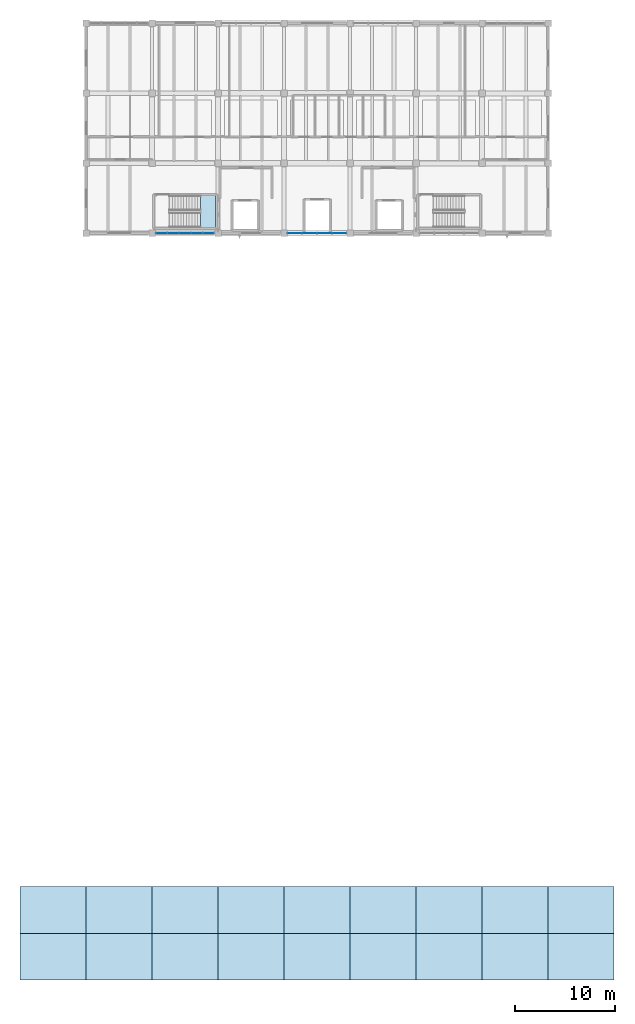
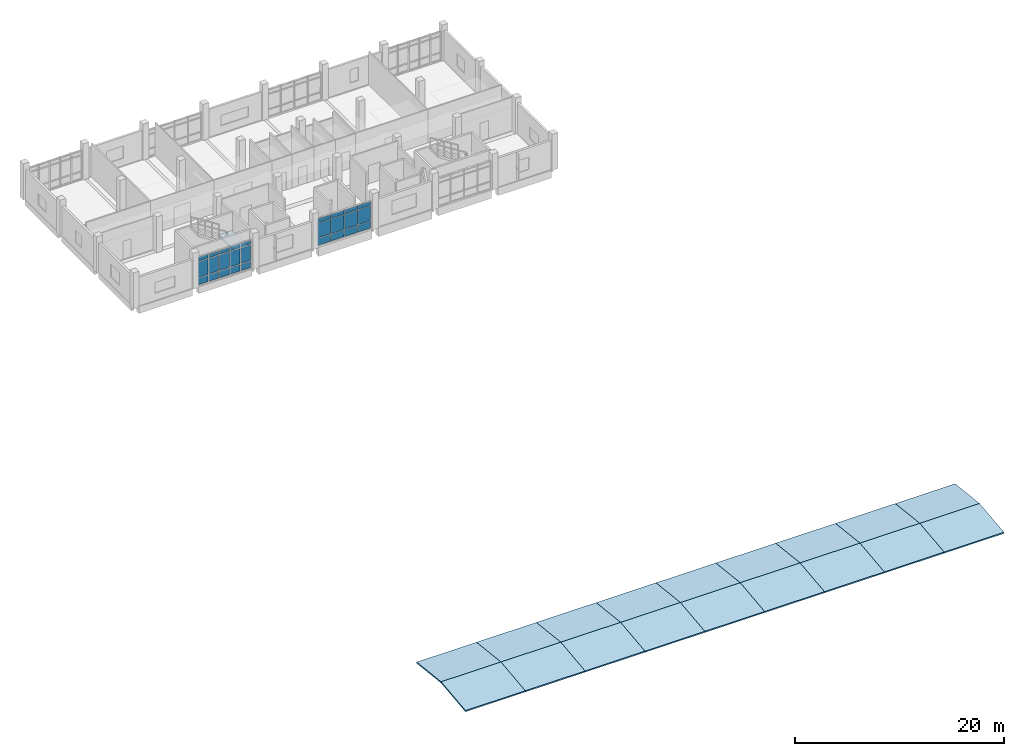
# One storey, part 7 of 16: 27 plates, 19 slabs, 4 elements without a shape of their own.
"""IFC4 building model written with IfcOpenShell, lengths in metres."""

from ifc_helpers import new_model, si_unit, direction, frame, origin, origin_2d, place, context, subcontext, project, spatial, polyline, rectangle, outline, extrude, material, layer, layer_set, type_object, element, aggregate, save


model = new_model("IFC4")

# Units and contexts
model_context = context("Model", 3, precision=1e-05, world=origin(), true_north=direction((0.0, 1.0)))
body_context = subcontext(model_context, "Body", "Model", "MODEL_VIEW")
ifc_project = project(units=[si_unit("LENGTHUNIT", "METRE"), si_unit("AREAUNIT", "SQUARE_METRE"), si_unit("VOLUMEUNIT", "CUBIC_METRE"), si_unit("PLANEANGLEUNIT", "RADIAN"), si_unit("MASSUNIT", "GRAM", prefix="KILO")], contexts=[model_context])

# Site, building, storey
site_placement = place(None, origin())
site = spatial("IfcSite", under=ifc_project, at=site_placement, CompositionType="ELEMENT")
building_placement = place(site_placement, origin())
building = spatial("IfcBuilding", under=site, at=building_placement, Name="Ciguamira Faculty of Natural Sciences", CompositionType="ELEMENT")
storey_placement = place(building_placement, frame((0.0, 0.0, 25.199951171875)))
storey = spatial("IfcBuildingStorey", under=building, at=storey_placement, Name="L06", CompositionType="ELEMENT", Elevation=25.199951171875)

# Curtain wall, plates
ifc_material_1 = material(Name="Anodized aluminium curtain wall", Category="aluminium")
curtain_wall_type_1 = type_object("IfcCurtainWallType", Name="CurtainWall_CW-09", PredefinedType="USERDEFINED", material=ifc_material_1)
curtain_wall_1_placement = place(storey_placement, origin())
curtain_wall_1 = element("IfcCurtainWall", 1, at=curtain_wall_1_placement, inside=storey, type_object=curtain_wall_type_1, Name="L06 unitised curtain wall 0141", ObjectType="UNITISED CURTAIN WALL", PredefinedType="USERDEFINED")
ifc_material_2 = material(Name="Low-E laminated solar glass", Category="glass")
ifc_layer_1 = layer(ifc_material_2, 0.028076171875, Name="Low-E laminated solar glass")
ifc_layer_set_1 = layer_set([ifc_layer_1], Name="Low-E laminated solar glass")
plate_type_1 = type_object("IfcPlateType", Name="CWPanel_CWP-01", PredefinedType="CURTAIN_PANEL", material=ifc_layer_set_1)
plate_1_placement = place(storey_placement, frame((71.43994140625, 94.0, 0.080078125), z_axis=(0.0, 0.0, 1.0), x_axis=(1.0, 0.0, 0.0)))
plate_1 = element("IfcPlate", 2, at=plate_1_placement, type_object=plate_type_1, Name="CW-09 panel 1.1", PredefinedType="CURTAIN_PANEL", context=body_context, shape_type="SweptSolid", body=[
    extrude(rectangle(XDim=1.070068359375, YDim=0.028076171875, at=origin_2d()), origin(), (0.0, 0.0, 1.0), 0.780029296875),
])
plate_2_placement = place(storey_placement, frame((71.43994140625, 94.0, 0.940185546875), z_axis=(0.0, 0.0, 1.0), x_axis=(1.0, 0.0, 0.0)))
plate_2 = element("IfcPlate", 3, at=plate_2_placement, type_object=plate_type_1, Name="CW-09 panel 1.2", PredefinedType="CURTAIN_PANEL", context=body_context, shape_type="SweptSolid", body=[
    extrude(rectangle(XDim=1.070068359375, YDim=0.028076171875, at=origin_2d()), origin(), (0.0, 0.0, 1.0), 1.81494140625),
])
plate_3_placement = place(storey_placement, frame((71.43994140625, 94.0, 2.8349609375), z_axis=(0.0, 0.0, 1.0), x_axis=(1.0, 0.0, 0.0)))
plate_3 = element("IfcPlate", 4, at=plate_3_placement, type_object=plate_type_1, Name="CW-09 panel 1.3", PredefinedType="CURTAIN_PANEL", context=body_context, shape_type="SweptSolid", body=[
    extrude(rectangle(XDim=1.070068359375, YDim=0.028076171875, at=origin_2d()), origin(), (0.0, 0.0, 1.0), 0.429931640625),
])
plate_4_placement = place(storey_placement, frame((72.610107421875, 94.0, 0.080078125), z_axis=(0.0, 0.0, 1.0), x_axis=(1.0, 0.0, 0.0)))
plate_4 = element("IfcPlate", 5, at=plate_4_placement, type_object=plate_type_1, Name="CW-09 panel 2.1", PredefinedType="CURTAIN_PANEL", context=body_context, shape_type="SweptSolid", body=[
    extrude(rectangle(XDim=1.110107421875, YDim=0.028076171875, at=origin_2d()), origin(), (0.0, 0.0, 1.0), 0.780029296875),
])
plate_5_placement = place(storey_placement, frame((72.610107421875, 94.0, 0.940185546875), z_axis=(0.0, 0.0, 1.0), x_axis=(1.0, 0.0, 0.0)))
plate_5 = element("IfcPlate", 6, at=plate_5_placement, type_object=plate_type_1, Name="CW-09 panel 2.2", PredefinedType="CURTAIN_PANEL", context=body_context, shape_type="SweptSolid", body=[
    extrude(rectangle(XDim=1.110107421875, YDim=0.028076171875, at=origin_2d()), origin(), (0.0, 0.0, 1.0), 1.81494140625),
])
plate_6_placement = place(storey_placement, frame((72.610107421875, 94.0, 2.8349609375), z_axis=(0.0, 0.0, 1.0), x_axis=(1.0, 0.0, 0.0)))
plate_6 = element("IfcPlate", 7, at=plate_6_placement, type_object=plate_type_1, Name="CW-09 panel 2.3", PredefinedType="CURTAIN_PANEL", context=body_context, shape_type="SweptSolid", body=[
    extrude(rectangle(XDim=1.110107421875, YDim=0.028076171875, at=origin_2d()), origin(), (0.0, 0.0, 1.0), 0.429931640625),
])
plate_7_placement = place(storey_placement, frame((73.800048828125, 94.0, 0.080078125), z_axis=(0.0, 0.0, 1.0), x_axis=(1.0, 0.0, 0.0)))
plate_7 = element("IfcPlate", 8, at=plate_7_placement, type_object=plate_type_1, Name="CW-09 panel 3.1", PredefinedType="CURTAIN_PANEL", context=body_context, shape_type="SweptSolid", body=[
    extrude(rectangle(XDim=1.110107421875, YDim=0.028076171875, at=origin_2d()), origin(), (0.0, 0.0, 1.0), 0.780029296875),
])
plate_8_placement = place(storey_placement, frame((73.800048828125, 94.0, 0.940185546875), z_axis=(0.0, 0.0, 1.0), x_axis=(1.0, 0.0, 0.0)))
plate_8 = element("IfcPlate", 9, at=plate_8_placement, type_object=plate_type_1, Name="CW-09 panel 3.2", PredefinedType="CURTAIN_PANEL", context=body_context, shape_type="SweptSolid", body=[
    extrude(rectangle(XDim=1.110107421875, YDim=0.028076171875, at=origin_2d()), origin(), (0.0, 0.0, 1.0), 1.81494140625),
])
plate_9_placement = place(storey_placement, frame((73.800048828125, 94.0, 2.8349609375), z_axis=(0.0, 0.0, 1.0), x_axis=(1.0, 0.0, 0.0)))
plate_9 = element("IfcPlate", 10, at=plate_9_placement, type_object=plate_type_1, Name="CW-09 panel 3.3", PredefinedType="CURTAIN_PANEL", context=body_context, shape_type="SweptSolid", body=[
    extrude(rectangle(XDim=1.110107421875, YDim=0.028076171875, at=origin_2d()), origin(), (0.0, 0.0, 1.0), 0.429931640625),
])
plate_10_placement = place(storey_placement, frame((74.989990234375, 94.0, 0.080078125), z_axis=(0.0, 0.0, 1.0), x_axis=(1.0, 0.0, 0.0)))
plate_10 = element("IfcPlate", 11, at=plate_10_placement, type_object=plate_type_1, Name="CW-09 panel 4.1", PredefinedType="CURTAIN_PANEL", context=body_context, shape_type="SweptSolid", body=[
    extrude(rectangle(XDim=1.110107421875, YDim=0.028076171875, at=origin_2d()), origin(), (0.0, 0.0, 1.0), 0.780029296875),
])
plate_11_placement = place(storey_placement, frame((74.989990234375, 94.0, 0.940185546875), z_axis=(0.0, 0.0, 1.0), x_axis=(1.0, 0.0, 0.0)))
plate_11 = element("IfcPlate", 12, at=plate_11_placement, type_object=plate_type_1, Name="CW-09 panel 4.2", PredefinedType="CURTAIN_PANEL", context=body_context, shape_type="SweptSolid", body=[
    extrude(rectangle(XDim=1.110107421875, YDim=0.028076171875, at=origin_2d()), origin(), (0.0, 0.0, 1.0), 1.81494140625),
])
plate_12_placement = place(storey_placement, frame((74.989990234375, 94.0, 2.8349609375), z_axis=(0.0, 0.0, 1.0), x_axis=(1.0, 0.0, 0.0)))
plate_12 = element("IfcPlate", 13, at=plate_12_placement, type_object=plate_type_1, Name="CW-09 panel 4.3", PredefinedType="CURTAIN_PANEL", context=body_context, shape_type="SweptSolid", body=[
    extrude(rectangle(XDim=1.110107421875, YDim=0.028076171875, at=origin_2d()), origin(), (0.0, 0.0, 1.0), 0.429931640625),
])
plate_13_placement = place(storey_placement, frame((76.159912109375, 94.0, 0.080078125), z_axis=(0.0, 0.0, 1.0), x_axis=(1.0, 0.0, 0.0)))
plate_13 = element("IfcPlate", 14, at=plate_13_placement, type_object=plate_type_1, Name="CW-09 panel 5.1", PredefinedType="CURTAIN_PANEL", context=body_context, shape_type="SweptSolid", body=[
    extrude(rectangle(XDim=1.070068359375, YDim=0.028076171875, at=origin_2d()), origin(), (0.0, 0.0, 1.0), 0.780029296875),
])
plate_14_placement = place(storey_placement, frame((76.159912109375, 94.0, 0.940185546875), z_axis=(0.0, 0.0, 1.0), x_axis=(1.0, 0.0, 0.0)))
plate_14 = element("IfcPlate", 15, at=plate_14_placement, type_object=plate_type_1, Name="CW-09 panel 5.2", PredefinedType="CURTAIN_PANEL", context=body_context, shape_type="SweptSolid", body=[
    extrude(rectangle(XDim=1.070068359375, YDim=0.028076171875, at=origin_2d()), origin(), (0.0, 0.0, 1.0), 1.81494140625),
])
plate_15_placement = place(storey_placement, frame((76.159912109375, 94.0, 2.8349609375), z_axis=(0.0, 0.0, 1.0), x_axis=(1.0, 0.0, 0.0)))
plate_15 = element("IfcPlate", 16, at=plate_15_placement, type_object=plate_type_1, Name="CW-09 panel 5.3", PredefinedType="CURTAIN_PANEL", context=body_context, shape_type="SweptSolid", body=[
    extrude(rectangle(XDim=1.070068359375, YDim=0.028076171875, at=origin_2d()), origin(), (0.0, 0.0, 1.0), 0.429931640625),
])
aggregate(curtain_wall_1, [plate_1, plate_2, plate_3, plate_4, plate_5, plate_6, plate_7, plate_8, plate_9, plate_10, plate_11, plate_12, plate_13, plate_14, plate_15])

curtain_wall_type_2 = type_object("IfcCurtainWallType", Name="CurtainWall_CW-10", PredefinedType="USERDEFINED", material=ifc_material_1)
curtain_wall_2_placement = place(storey_placement, origin())
curtain_wall_2 = element("IfcCurtainWall", 17, at=curtain_wall_2_placement, inside=storey, type_object=curtain_wall_type_2, Name="L06 unitised curtain wall 0142", ObjectType="UNITISED CURTAIN WALL", PredefinedType="USERDEFINED")
ifc_layer_2 = layer(ifc_material_2, 0.035888671875, Name="Low-E laminated solar glass")
ifc_layer_set_2 = layer_set([ifc_layer_2], Name="Low-E laminated solar glass")
plate_type_2 = type_object("IfcPlateType", Name="CWPanel_CWP-02", PredefinedType="CURTAIN_PANEL", material=ifc_layer_set_2)
plate_16_placement = place(storey_placement, frame((84.78369140625, 94.0, 0.06005859375), z_axis=(0.0, 0.0, 1.0), x_axis=(1.0, 0.0, 0.0)))
plate_16 = element("IfcPlate", 18, at=plate_16_placement, type_object=plate_type_2, Name="CW-10 panel 1.1", PredefinedType="CURTAIN_PANEL", context=body_context, shape_type="SweptSolid", body=[
    extrude(rectangle(XDim=1.3974609375, YDim=0.035888671875, at=origin_2d()), origin(), (0.0, 0.0, 1.0), 0.81005859375),
])
plate_17_placement = place(storey_placement, frame((84.78369140625, 94.0, 0.929931640625), z_axis=(0.0, 0.0, 1.0), x_axis=(1.0, 0.0, 0.0)))
plate_17 = element("IfcPlate", 19, at=plate_17_placement, type_object=plate_type_2, Name="CW-10 panel 1.2", PredefinedType="CURTAIN_PANEL", context=body_context, shape_type="SweptSolid", body=[
    extrude(rectangle(XDim=1.3974609375, YDim=0.035888671875, at=origin_2d()), origin(), (0.0, 0.0, 1.0), 1.72509765625),
])
plate_18_placement = place(storey_placement, frame((84.78369140625, 94.0, 2.715087890625), z_axis=(0.0, 0.0, 1.0), x_axis=(1.0, 0.0, 0.0)))
plate_18 = element("IfcPlate", 20, at=plate_18_placement, type_object=plate_type_2, Name="CW-10 panel 1.3", PredefinedType="CURTAIN_PANEL", context=body_context, shape_type="SweptSolid", body=[
    extrude(rectangle(XDim=1.3974609375, YDim=0.035888671875, at=origin_2d()), origin(), (0.0, 0.0, 1.0), 0.4599609375),
])
plate_19_placement = place(storey_placement, frame((86.25634765625, 94.0, 0.06005859375), z_axis=(0.0, 0.0, 1.0), x_axis=(1.0, 0.0, 0.0)))
plate_19 = element("IfcPlate", 21, at=plate_19_placement, type_object=plate_type_2, Name="CW-10 panel 2.1", PredefinedType="CURTAIN_PANEL", context=body_context, shape_type="SweptSolid", body=[
    extrude(rectangle(XDim=1.427490234375, YDim=0.035888671875, at=origin_2d()), origin(), (0.0, 0.0, 1.0), 0.81005859375),
])
plate_20_placement = place(storey_placement, frame((86.25634765625, 94.0, 0.929931640625), z_axis=(0.0, 0.0, 1.0), x_axis=(1.0, 0.0, 0.0)))
plate_20 = element("IfcPlate", 22, at=plate_20_placement, type_object=plate_type_2, Name="CW-10 panel 2.2", PredefinedType="CURTAIN_PANEL", context=body_context, shape_type="SweptSolid", body=[
    extrude(rectangle(XDim=1.427490234375, YDim=0.035888671875, at=origin_2d()), origin(), (0.0, 0.0, 1.0), 1.72509765625),
])
plate_21_placement = place(storey_placement, frame((86.25634765625, 94.0, 2.715087890625), z_axis=(0.0, 0.0, 1.0), x_axis=(1.0, 0.0, 0.0)))
plate_21 = element("IfcPlate", 23, at=plate_21_placement, type_object=plate_type_2, Name="CW-10 panel 2.3", PredefinedType="CURTAIN_PANEL", context=body_context, shape_type="SweptSolid", body=[
    extrude(rectangle(XDim=1.427490234375, YDim=0.035888671875, at=origin_2d()), origin(), (0.0, 0.0, 1.0), 0.4599609375),
])
plate_22_placement = place(storey_placement, frame((87.74365234375, 94.0, 0.06005859375), z_axis=(0.0, 0.0, 1.0), x_axis=(1.0, 0.0, 0.0)))
plate_22 = element("IfcPlate", 24, at=plate_22_placement, type_object=plate_type_2, Name="CW-10 panel 3.1", PredefinedType="CURTAIN_PANEL", context=body_context, shape_type="SweptSolid", body=[
    extrude(rectangle(XDim=1.427490234375, YDim=0.035888671875, at=origin_2d()), origin(), (0.0, 0.0, 1.0), 0.81005859375),
])
plate_23_placement = place(storey_placement, frame((87.74365234375, 94.0, 0.929931640625), z_axis=(0.0, 0.0, 1.0), x_axis=(1.0, 0.0, 0.0)))
plate_23 = element("IfcPlate", 25, at=plate_23_placement, type_object=plate_type_2, Name="CW-10 panel 3.2", PredefinedType="CURTAIN_PANEL", context=body_context, shape_type="SweptSolid", body=[
    extrude(rectangle(XDim=1.427490234375, YDim=0.035888671875, at=origin_2d()), origin(), (0.0, 0.0, 1.0), 1.72509765625),
])
plate_24_placement = place(storey_placement, frame((87.74365234375, 94.0, 2.715087890625), z_axis=(0.0, 0.0, 1.0), x_axis=(1.0, 0.0, 0.0)))
plate_24 = element("IfcPlate", 26, at=plate_24_placement, type_object=plate_type_2, Name="CW-10 panel 3.3", PredefinedType="CURTAIN_PANEL", context=body_context, shape_type="SweptSolid", body=[
    extrude(rectangle(XDim=1.427490234375, YDim=0.035888671875, at=origin_2d()), origin(), (0.0, 0.0, 1.0), 0.4599609375),
])
plate_25_placement = place(storey_placement, frame((89.21630859375, 94.0, 0.06005859375), z_axis=(0.0, 0.0, 1.0), x_axis=(1.0, 0.0, 0.0)))
plate_25 = element("IfcPlate", 27, at=plate_25_placement, type_object=plate_type_2, Name="CW-10 panel 4.1", PredefinedType="CURTAIN_PANEL", context=body_context, shape_type="SweptSolid", body=[
    extrude(rectangle(XDim=1.3974609375, YDim=0.035888671875, at=origin_2d()), origin(), (0.0, 0.0, 1.0), 0.81005859375),
])
plate_26_placement = place(storey_placement, frame((89.21630859375, 94.0, 0.929931640625), z_axis=(0.0, 0.0, 1.0), x_axis=(1.0, 0.0, 0.0)))
plate_26 = element("IfcPlate", 28, at=plate_26_placement, type_object=plate_type_2, Name="CW-10 panel 4.2", PredefinedType="CURTAIN_PANEL", context=body_context, shape_type="SweptSolid", body=[
    extrude(rectangle(XDim=1.3974609375, YDim=0.035888671875, at=origin_2d()), origin(), (0.0, 0.0, 1.0), 1.72509765625),
])
plate_27_placement = place(storey_placement, frame((89.21630859375, 94.0, 2.715087890625), z_axis=(0.0, 0.0, 1.0), x_axis=(1.0, 0.0, 0.0)))
plate_27 = element("IfcPlate", 29, at=plate_27_placement, type_object=plate_type_2, Name="CW-10 panel 4.3", PredefinedType="CURTAIN_PANEL", context=body_context, shape_type="SweptSolid", body=[
    extrude(rectangle(XDim=1.3974609375, YDim=0.035888671875, at=origin_2d()), origin(), (0.0, 0.0, 1.0), 0.4599609375),
])
aggregate(curtain_wall_2, [plate_16, plate_17, plate_18, plate_19, plate_20, plate_21, plate_22, plate_23, plate_24, plate_25, plate_26, plate_27])

# Roof, slabs
ifc_material_3 = material(Name="Concrete C40/50", Category="concrete")
roof_type = type_object("IfcRoofType", Name="RoofSys_RF-SHL", PredefinedType="FREEFORM", material=ifc_material_3)
roof_placement = place(storey_placement, origin())
roof = element("IfcRoof", 30, at=roof_placement, inside=storey, type_object=roof_type, Name="Atrium Curved Clerestory Shell Upper Crown", PredefinedType="FREEFORM")
ifc_layer_3 = layer(ifc_material_3, 0.159912109375, Name="Concrete C40/50")
ifc_layer_set_3 = layer_set([ifc_layer_3], Name="Concrete C40/50")
slab_type_1 = type_object("IfcSlabType", Name="Slab_SR-02_160", PredefinedType="ROOF", material=ifc_layer_set_3)
slab_1_placement = place(storey_placement, frame((57.300048828125, 19.333251953125, 0.46826171875), z_axis=(0.0, -0.113209414744, 0.993571149145), x_axis=(1.0, 0.0, 0.0)))
slab_1 = element("IfcSlab", 31, at=slab_1_placement, type_object=slab_type_1, Name="V3 atrium curved shell strip 01-S03", PredefinedType="ROOF", context=body_context, shape_type="SweptSolid", body=[
    extrude(outline(polyline([(0.0, 0.0), (6.599853515625, 0.0), (6.599853515625, 4.696943999321083), (0.0, 4.696943999321083), (0.0, 0.0)])), origin(), (0.0, 0.0, -1.0), 0.159912109375),
])
slab_2_placement = place(storey_placement, frame((57.300048828125, 24.0, 1.0), z_axis=(0.0, 0.113209414744, 0.993571149145), x_axis=(1.0, 0.0, 0.0)))
slab_2 = element("IfcSlab", 32, at=slab_2_placement, type_object=slab_type_1, Name="V3 atrium curved shell strip 01-S04", PredefinedType="ROOF", context=body_context, shape_type="SweptSolid", body=[
    extrude(outline(polyline([(0.0, 0.0), (6.599853515625, 0.0), (6.599853515625, 4.696943999321083), (0.0, 4.696943999321083), (0.0, 0.0)])), origin(), (0.0, 0.0, -1.0), 0.159912109375),
])
slab_3_placement = place(storey_placement, frame((63.89990234375, 19.333251953125, 0.46826171875), z_axis=(0.0, -0.113209414744, 0.993571149145), x_axis=(1.0, 0.0, 0.0)))
slab_3 = element("IfcSlab", 33, at=slab_3_placement, type_object=slab_type_1, Name="V3 atrium curved shell strip 02-S03", PredefinedType="ROOF", context=body_context, shape_type="SweptSolid", body=[
    extrude(outline(polyline([(0.0, 0.0), (6.60009765625, 0.0), (6.60009765625, 4.696943999321083), (0.0, 4.696943999321083), (0.0, 0.0)])), origin(), (0.0, 0.0, -1.0), 0.159912109375),
])
slab_4_placement = place(storey_placement, frame((63.89990234375, 24.0, 1.0), z_axis=(0.0, 0.113209414744, 0.993571149145), x_axis=(1.0, 0.0, 0.0)))
slab_4 = element("IfcSlab", 34, at=slab_4_placement, type_object=slab_type_1, Name="V3 atrium curved shell strip 02-S04", PredefinedType="ROOF", context=body_context, shape_type="SweptSolid", body=[
    extrude(outline(polyline([(0.0, 0.0), (6.60009765625, 0.0), (6.60009765625, 4.696943999321083), (0.0, 4.696943999321083), (0.0, 0.0)])), origin(), (0.0, 0.0, -1.0), 0.159912109375),
])
slab_5_placement = place(storey_placement, frame((70.5, 19.333251953125, 0.46826171875), z_axis=(0.0, -0.113209414744, 0.993571149145), x_axis=(1.0, 0.0, 0.0)))
slab_5 = element("IfcSlab", 35, at=slab_5_placement, type_object=slab_type_1, Name="V3 atrium curved shell strip 03-S03", PredefinedType="ROOF", context=body_context, shape_type="SweptSolid", body=[
    extrude(outline(polyline([(0.0, 0.0), (6.60009765625, 0.0), (6.60009765625, 4.696943999321083), (0.0, 4.696943999321083), (0.0, 0.0)])), origin(), (0.0, 0.0, -1.0), 0.159912109375),
])
slab_6_placement = place(storey_placement, frame((70.5, 24.0, 1.0), z_axis=(0.0, 0.113209414744, 0.993571149145), x_axis=(1.0, 0.0, 0.0)))
slab_6 = element("IfcSlab", 36, at=slab_6_placement, type_object=slab_type_1, Name="V3 atrium curved shell strip 03-S04", PredefinedType="ROOF", context=body_context, shape_type="SweptSolid", body=[
    extrude(outline(polyline([(0.0, 0.0), (6.60009765625, 0.0), (6.60009765625, 4.696943999321083), (0.0, 4.696943999321083), (0.0, 0.0)])), origin(), (0.0, 0.0, -1.0), 0.159912109375),
])
slab_7_placement = place(storey_placement, frame((77.10009765625, 19.333251953125, 0.46826171875), z_axis=(0.0, -0.113209414744, 0.993571149145), x_axis=(1.0, 0.0, 0.0)))
slab_7 = element("IfcSlab", 37, at=slab_7_placement, type_object=slab_type_1, Name="V3 atrium curved shell strip 04-S03", PredefinedType="ROOF", context=body_context, shape_type="SweptSolid", body=[
    extrude(outline(polyline([(0.0, 0.0), (6.599853515625, 0.0), (6.599853515625, 4.696943999321083), (0.0, 4.696943999321083), (0.0, 0.0)])), origin(), (0.0, 0.0, -1.0), 0.159912109375),
])
slab_8_placement = place(storey_placement, frame((77.10009765625, 24.0, 1.0), z_axis=(0.0, 0.113209414744, 0.993571149145), x_axis=(1.0, 0.0, 0.0)))
slab_8 = element("IfcSlab", 38, at=slab_8_placement, type_object=slab_type_1, Name="V3 atrium curved shell strip 04-S04", PredefinedType="ROOF", context=body_context, shape_type="SweptSolid", body=[
    extrude(outline(polyline([(0.0, 0.0), (6.599853515625, 0.0), (6.599853515625, 4.696943999321083), (0.0, 4.696943999321083), (0.0, 0.0)])), origin(), (0.0, 0.0, -1.0), 0.159912109375),
])
slab_9_placement = place(storey_placement, frame((83.699951171875, 19.333251953125, 0.46826171875), z_axis=(0.0, -0.113209414744, 0.993571149145), x_axis=(1.0, 0.0, 0.0)))
slab_9 = element("IfcSlab", 39, at=slab_9_placement, type_object=slab_type_1, Name="V3 atrium curved shell strip 05-S03", PredefinedType="ROOF", context=body_context, shape_type="SweptSolid", body=[
    extrude(outline(polyline([(0.0, 0.0), (6.60009765625, 0.0), (6.60009765625, 4.696943999321083), (0.0, 4.696943999321083), (0.0, 0.0)])), origin(), (0.0, 0.0, -1.0), 0.159912109375),
])
slab_10_placement = place(storey_placement, frame((83.699951171875, 24.0, 1.0), z_axis=(0.0, 0.113209414744, 0.993571149145), x_axis=(1.0, 0.0, 0.0)))
slab_10 = element("IfcSlab", 40, at=slab_10_placement, type_object=slab_type_1, Name="V3 atrium curved shell strip 05-S04", PredefinedType="ROOF", context=body_context, shape_type="SweptSolid", body=[
    extrude(outline(polyline([(0.0, 0.0), (6.60009765625, 0.0), (6.60009765625, 4.696943999321083), (0.0, 4.696943999321083), (0.0, 0.0)])), origin(), (0.0, 0.0, -1.0), 0.159912109375),
])
slab_11_placement = place(storey_placement, frame((90.300048828125, 19.333251953125, 0.46826171875), z_axis=(0.0, -0.113209414744, 0.993571149145), x_axis=(1.0, 0.0, 0.0)))
slab_11 = element("IfcSlab", 41, at=slab_11_placement, type_object=slab_type_1, Name="V3 atrium curved shell strip 06-S03", PredefinedType="ROOF", context=body_context, shape_type="SweptSolid", body=[
    extrude(outline(polyline([(0.0, 0.0), (6.599853515625, 0.0), (6.599853515625, 4.696943999321083), (0.0, 4.696943999321083), (0.0, 0.0)])), origin(), (0.0, 0.0, -1.0), 0.159912109375),
])
slab_12_placement = place(storey_placement, frame((90.300048828125, 24.0, 1.0), z_axis=(0.0, 0.113209414744, 0.993571149145), x_axis=(1.0, 0.0, 0.0)))
slab_12 = element("IfcSlab", 42, at=slab_12_placement, type_object=slab_type_1, Name="V3 atrium curved shell strip 06-S04", PredefinedType="ROOF", context=body_context, shape_type="SweptSolid", body=[
    extrude(outline(polyline([(0.0, 0.0), (6.599853515625, 0.0), (6.599853515625, 4.696943999321083), (0.0, 4.696943999321083), (0.0, 0.0)])), origin(), (0.0, 0.0, -1.0), 0.159912109375),
])
slab_13_placement = place(storey_placement, frame((96.89990234375, 19.333251953125, 0.46826171875), z_axis=(0.0, -0.113209414744, 0.993571149145), x_axis=(1.0, 0.0, 0.0)))
slab_13 = element("IfcSlab", 43, at=slab_13_placement, type_object=slab_type_1, Name="V3 atrium curved shell strip 07-S03", PredefinedType="ROOF", context=body_context, shape_type="SweptSolid", body=[
    extrude(outline(polyline([(0.0, 0.0), (6.60009765625, 0.0), (6.60009765625, 4.696943999321083), (0.0, 4.696943999321083), (0.0, 0.0)])), origin(), (0.0, 0.0, -1.0), 0.159912109375),
])
slab_14_placement = place(storey_placement, frame((96.89990234375, 24.0, 1.0), z_axis=(0.0, 0.113209414744, 0.993571149145), x_axis=(1.0, 0.0, 0.0)))
slab_14 = element("IfcSlab", 44, at=slab_14_placement, type_object=slab_type_1, Name="V3 atrium curved shell strip 07-S04", PredefinedType="ROOF", context=body_context, shape_type="SweptSolid", body=[
    extrude(outline(polyline([(0.0, 0.0), (6.60009765625, 0.0), (6.60009765625, 4.696943999321083), (0.0, 4.696943999321083), (0.0, 0.0)])), origin(), (0.0, 0.0, -1.0), 0.159912109375),
])
slab_15_placement = place(storey_placement, frame((103.5, 19.333251953125, 0.46826171875), z_axis=(0.0, -0.113209414744, 0.993571149145), x_axis=(1.0, 0.0, 0.0)))
slab_15 = element("IfcSlab", 45, at=slab_15_placement, type_object=slab_type_1, Name="V3 atrium curved shell strip 08-S03", PredefinedType="ROOF", context=body_context, shape_type="SweptSolid", body=[
    extrude(outline(polyline([(0.0, 0.0), (6.60009765625, 0.0), (6.60009765625, 4.696943999321083), (0.0, 4.696943999321083), (0.0, 0.0)])), origin(), (0.0, 0.0, -1.0), 0.159912109375),
])
slab_16_placement = place(storey_placement, frame((103.5, 24.0, 1.0), z_axis=(0.0, 0.113209414744, 0.993571149145), x_axis=(1.0, 0.0, 0.0)))
slab_16 = element("IfcSlab", 46, at=slab_16_placement, type_object=slab_type_1, Name="V3 atrium curved shell strip 08-S04", PredefinedType="ROOF", context=body_context, shape_type="SweptSolid", body=[
    extrude(outline(polyline([(0.0, 0.0), (6.60009765625, 0.0), (6.60009765625, 4.696943999321083), (0.0, 4.696943999321083), (0.0, 0.0)])), origin(), (0.0, 0.0, -1.0), 0.159912109375),
])
slab_17_placement = place(storey_placement, frame((110.10009765625, 19.333251953125, 0.46826171875), z_axis=(0.0, -0.113209414744, 0.993571149145), x_axis=(1.0, 0.0, 0.0)))
slab_17 = element("IfcSlab", 47, at=slab_17_placement, type_object=slab_type_1, Name="V3 atrium curved shell strip 09-S03", PredefinedType="ROOF", context=body_context, shape_type="SweptSolid", body=[
    extrude(outline(polyline([(0.0, 0.0), (6.599853515625, 0.0), (6.599853515625, 4.696943999321083), (0.0, 4.696943999321083), (0.0, 0.0)])), origin(), (0.0, 0.0, -1.0), 0.159912109375),
])
slab_18_placement = place(storey_placement, frame((110.10009765625, 24.0, 1.0), z_axis=(0.0, 0.113209414744, 0.993571149145), x_axis=(1.0, 0.0, 0.0)))
slab_18 = element("IfcSlab", 48, at=slab_18_placement, type_object=slab_type_1, Name="V3 atrium curved shell strip 09-S04", PredefinedType="ROOF", context=body_context, shape_type="SweptSolid", body=[
    extrude(outline(polyline([(0.0, 0.0), (6.599853515625, 0.0), (6.599853515625, 4.696943999321083), (0.0, 4.696943999321083), (0.0, 0.0)])), origin(), (0.0, 0.0, -1.0), 0.159912109375),
])
aggregate(roof, [slab_1, slab_2, slab_3, slab_4, slab_5, slab_6, slab_7, slab_8, slab_9, slab_10, slab_11, slab_12, slab_13, slab_14, slab_15, slab_16, slab_17, slab_18])

# Stair, slab
stair_type = type_object("IfcStairType", Name="Stair_STR-01", PredefinedType="HALF_TURN_STAIR", material=ifc_material_3)
stair_placement = place(storey_placement, origin())
stair = element("IfcStair", 49, at=stair_placement, inside=storey, type_object=stair_type, Name="L06 Tower West Exit Stair", PredefinedType="HALF_TURN_STAIR")
ifc_layer_4 = layer(ifc_material_3, 0.199951171875, Name="Concrete C40/50")
ifc_layer_set_4 = layer_set([ifc_layer_4], Name="Concrete C40/50")
slab_type_2 = type_object("IfcSlabType", Name="StairLanding_SLD01", PredefinedType="LANDING", material=ifc_layer_set_4)
slab_19_placement = place(storey_placement, frame((0.0, 0.0, 1.900146484375)))
slab_19 = element("IfcSlab", 50, at=slab_19_placement, type_object=slab_type_2, Name="ST-T1 landing 1", PredefinedType="LANDING", context=body_context, shape_type="SweptSolid", body=[
    extrude(outline(polyline([(75.340087890625, 94.60009765625), (76.85009765625, 94.60009765625), (76.85009765625, 97.760009765625), (75.340087890625, 97.760009765625), (75.340087890625, 94.60009765625)])), origin(), (0.0, 0.0, 1.0), 0.199951171875),
])
aggregate(stair, [slab_19])

save(model, "model.ifc")
